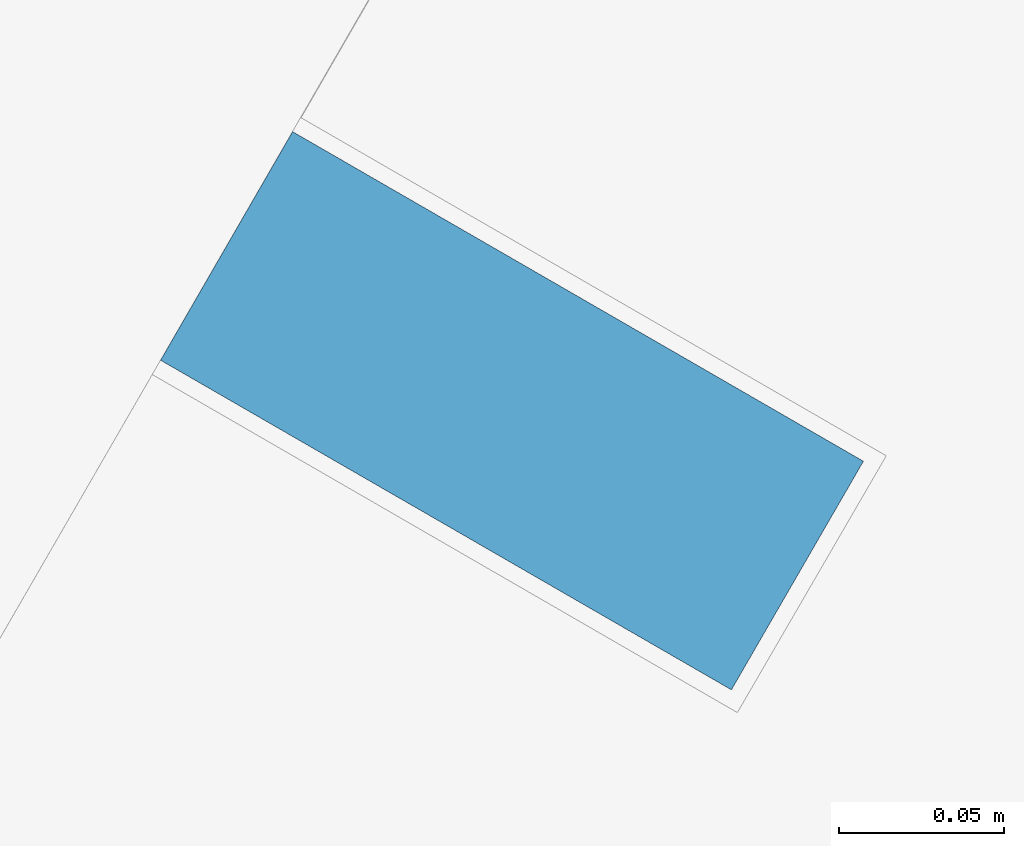
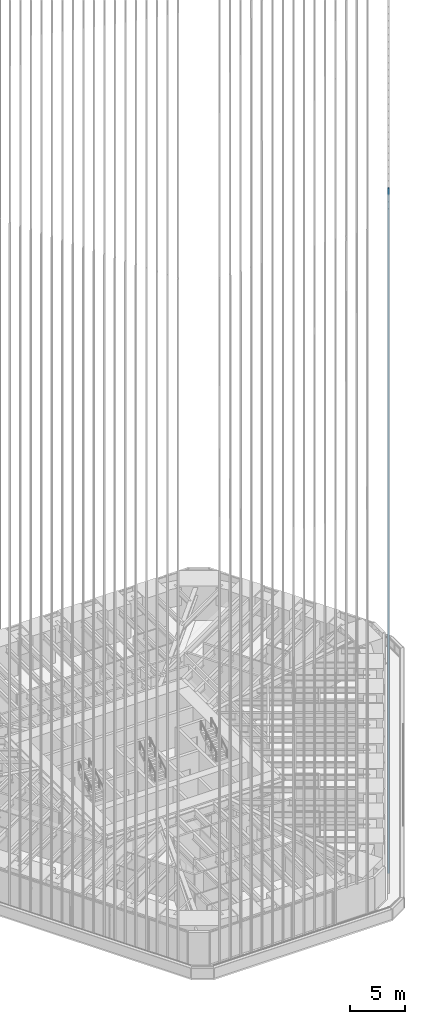
# One storey, part 73 of 238: 1 member, 1 element without a shape of its own.
"""IFC4 building model written with IfcOpenShell, lengths in metres."""

from ifc_helpers import new_model, si_unit, direction, frame, origin, origin_2d, place, context, subcontext, project, spatial, rectangle, extrude, material, material_profile, profile_set, type_object, element, aggregate, save


model = new_model("IFC4")

# Units and contexts
model_context = context("Model", 3, precision=1e-05, world=origin(), true_north=direction((0.0, 1.0)))
body_context = subcontext(model_context, "Body", "Model", "MODEL_VIEW")
ifc_project = project(units=[si_unit("LENGTHUNIT", "METRE"), si_unit("AREAUNIT", "SQUARE_METRE"), si_unit("VOLUMEUNIT", "CUBIC_METRE"), si_unit("PLANEANGLEUNIT", "RADIAN"), si_unit("MASSUNIT", "GRAM", prefix="KILO")], contexts=[model_context])

# Site, building, storey
site_placement = place(None, origin())
site = spatial("IfcSite", under=ifc_project, at=site_placement, CompositionType="ELEMENT")
building_placement = place(site_placement, origin())
building = spatial("IfcBuilding", under=site, at=building_placement, Name="Sandreach Pilgrim Tower", CompositionType="ELEMENT")
storey_placement = place(building_placement, frame((0.0, 0.0, 96.800048828125)))
storey = spatial("IfcBuildingStorey", under=building, at=storey_placement, Name="L23", CompositionType="ELEMENT", Elevation=96.800048828125)

# Curtain wall, member
ifc_material_1 = material(Name="Aluminium framed curtain wall", Category="aluminium")
curtain_wall_type = type_object("IfcCurtainWallType", Name="Hotel tower curtain wall", PredefinedType="NOTDEFINED", material=ifc_material_1)
curtain_wall_placement = place(storey_placement, origin())
curtain_wall = element("IfcCurtainWall", 1, at=curtain_wall_placement, inside=storey, type_object=curtain_wall_type, Name="CW-2 L23 SE", PredefinedType="NOTDEFINED")
ifc_material_2 = material(Name="Extruded terracotta on aluminium core", Category="masonry")
ifc_material_profile = material_profile(ifc_material_2, rectangle(XDim=0.080078125, YDim=0.199951171875, at=origin_2d()), Name="TBE 80X200")
ifc_profile_set = profile_set([ifc_material_profile], Name="Extruded terracotta on aluminium core")
member_type = type_object("IfcMemberType", Name="Terracotta baguette east", PredefinedType="USERDEFINED", material=ifc_profile_set)
member_placement = place(storey_placement, frame((12.671875, -23.839111328125, 0.0), z_axis=(0.0, 0.0, 1.0), x_axis=(-0.5, -0.866025403784, 0.0)))
member = element("IfcMember", 2, at=member_placement, type_object=member_type, Name="Baguette Z2 SE30", ObjectType="BAGUETTE", PredefinedType="USERDEFINED", context=body_context, shape_type="SweptSolid", body=[
    extrude(rectangle(XDim=0.080078125, YDim=0.199951171875, at=origin_2d()), origin(), (0.0, 0.0, 1.0), 75.83984375),
])
aggregate(curtain_wall, [member])

save(model, "model.ifc")
